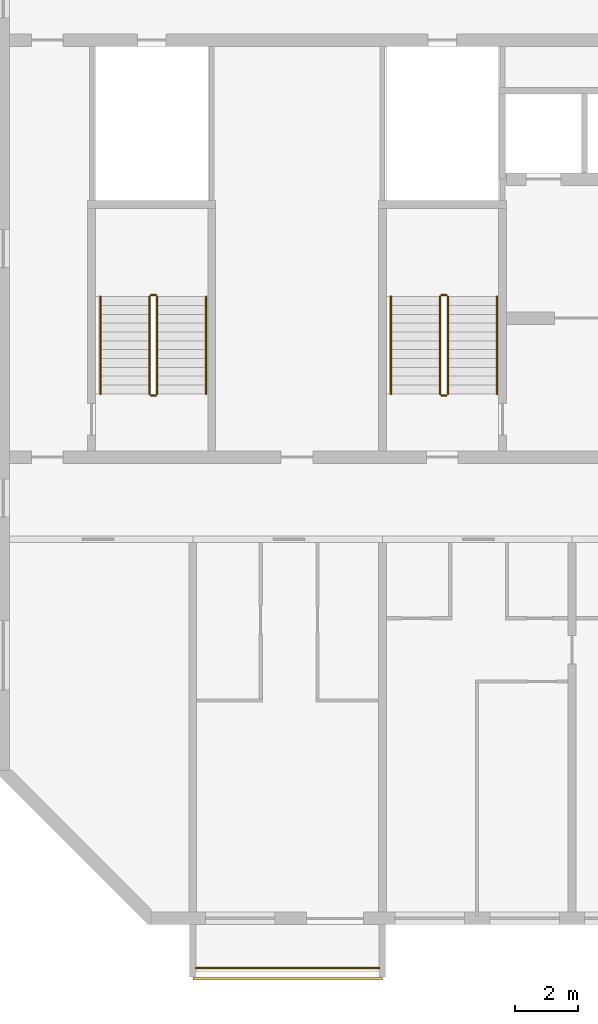
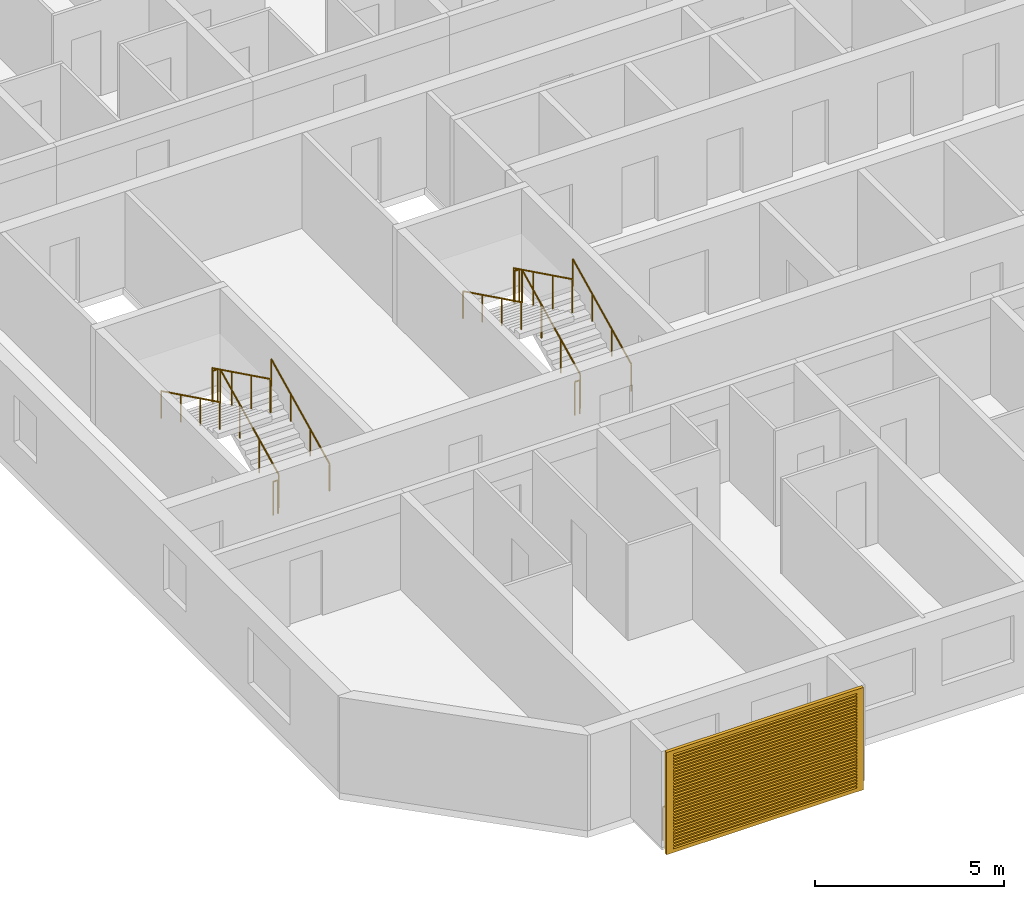
# One storey, part 13 of 28: 13 railings, 1 shading device.
"""IFC4 building model written with IfcOpenShell, lengths in metres."""

from ifc_helpers import new_model, si_unit, direction, frame, origin, origin_2d, place, context, subcontext, project, spatial, polyline, circle, outline, extrude, source, transform, mapped, material, material_profile, profile_set, type_object, element, save


model = new_model("IFC4")

# Units and contexts
model_context = context("Model", 3, precision=1e-05, world=origin(), true_north=direction((0.0, 1.0)))
body_context = subcontext(model_context, "Body", "Model", "MODEL_VIEW")
ifc_project = project(units=[si_unit("LENGTHUNIT", "METRE"), si_unit("AREAUNIT", "SQUARE_METRE"), si_unit("VOLUMEUNIT", "CUBIC_METRE"), si_unit("PLANEANGLEUNIT", "RADIAN"), si_unit("MASSUNIT", "GRAM", prefix="KILO")], contexts=[model_context])

# Site, building, storey
site_placement = place(None, origin())
site = spatial("IfcSite", under=ifc_project, at=site_placement, CompositionType="ELEMENT")
building_placement = place(site_placement, origin())
building = spatial("IfcBuilding", under=site, at=building_placement, Name="Poui Terraces", CompositionType="ELEMENT")
storey_placement = place(building_placement, frame((0.0, 0.0, 185.10009765625)))
storey = spatial("IfcBuildingStorey", under=building, at=storey_placement, Name="L51", CompositionType="ELEMENT", Elevation=185.10009765625)

# Railings
ifc_material_1 = material(Name="Painted steel fretwork", Category="steel")
railing_type_1 = type_object("IfcRailingType", Name="BALCONY GUARD 1100", PredefinedType="GUARDRAIL", material=ifc_material_1)
railing_1_placement = place(storey_placement, frame((24.10009765625, -1.570068359375, 0.0)))
element("IfcRailing", 1, at=railing_1_placement, inside=storey, type_object=railing_type_1, Name="BALCONY GUARD", PredefinedType="GUARDRAIL", context=body_context, shape_type="SweptSolid", body=[
    extrude(circle(Radius=0.02392578125, at=origin_2d()), frame((0.0, 0.0, 1.076171875), z_axis=(1.0, 0.0, 0.0), x_axis=(0.0, 1.0, 0.0)), (0.0, 0.0, 1.0), 5.7998046875),
    extrude(circle(Radius=0.02099609375, at=origin_2d()), origin(), (0.0, 0.0, 1.0), 1.052001953125),
    extrude(circle(Radius=0.02099609375, at=origin_2d()), frame((0.966552734375, 0.0, 0.0)), (0.0, 0.0, 1.0), 1.052001953125),
    extrude(circle(Radius=0.02099609375, at=origin_2d()), frame((1.933349609375, 0.0, 0.0)), (0.0, 0.0, 1.0), 1.052001953125),
    extrude(circle(Radius=0.02099609375, at=origin_2d()), frame((2.89990234375, 0.0, 0.0)), (0.0, 0.0, 1.0), 1.052001953125),
    extrude(circle(Radius=0.02099609375, at=origin_2d()), frame((3.866455078125, 0.0, 0.0)), (0.0, 0.0, 1.0), 1.052001953125),
    extrude(circle(Radius=0.02099609375, at=origin_2d()), frame((4.833251953125, 0.0, 0.0)), (0.0, 0.0, 1.0), 1.052001953125),
    extrude(circle(Radius=0.02099609375, at=origin_2d()), frame((5.7998046875, 0.0, 0.0)), (0.0, 0.0, 1.0), 1.052001953125),
])
ifc_material_2 = material(Name="Galvanised steel balustrade", Category="steel")
railing_type_2 = type_object("IfcRailingType", Name="STAIR GUARD 1100", PredefinedType="GUARDRAIL", material=ifc_material_2)
railing_2_placement = place(storey_placement, frame((32.074951171875, 16.60009765625, 0.137451171875)))
element("IfcRailing", 2, at=railing_2_placement, inside=storey, type_object=railing_type_2, Name="L51 ST-CW stair guard 1", PredefinedType="GUARDRAIL", context=body_context, shape_type="SweptSolid", body=[
    extrude(circle(Radius=0.02392578125, at=origin_2d()), frame((0.0, 0.0, 1.076171875), z_axis=(0.0, 0.897606190399, 0.440798283751), x_axis=(-1.0, 0.0, 0.0)), (0.0, 0.0, 1.0), 3.43115234375),
    extrude(circle(Radius=0.02099609375, at=origin_2d()), origin(), (0.0, 0.0, 1.0), 1.052001953125),
    extrude(circle(Radius=0.02099609375, at=origin_2d()), frame((0.0, 1.026611328125, 0.504150390625)), (0.0, 0.0, 1.0), 1.052001953125),
    extrude(circle(Radius=0.02099609375, at=origin_2d()), frame((0.0, 2.05322265625, 1.00830078125)), (0.0, 0.0, 1.0), 1.052001953125),
    extrude(circle(Radius=0.02099609375, at=origin_2d()), frame((0.0, 3.079833984375, 1.512451171875)), (0.0, 0.0, 1.0), 1.052001953125),
])
railing_3_placement = place(storey_placement, frame((32.02490234375, 19.72998046875, 1.64990234375)))
element("IfcRailing", 3, at=railing_3_placement, inside=storey, type_object=railing_type_2, Name="L51 ST-CW stair guard 2", PredefinedType="GUARDRAIL", context=body_context, shape_type="SweptSolid", body=[
    extrude(circle(Radius=0.02392578125, at=origin_2d()), frame((0.0, 0.0, 1.076171875), z_axis=(-1.0, 0.0, 0.0), x_axis=(0.0, -1.0, 0.0)), (0.0, 0.0, 1.0), 0.14990234375),
    extrude(circle(Radius=0.02099609375, at=origin_2d()), origin(), (0.0, 0.0, 1.0), 1.052001953125),
    extrude(circle(Radius=0.02099609375, at=origin_2d()), frame((-0.14990234375, 0.0, 0.0)), (0.0, 0.0, 1.0), 1.052001953125),
])
railing_4_placement = place(storey_placement, frame((31.824951171875, 19.679931640625, 1.787353515625)))
element("IfcRailing", 4, at=railing_4_placement, inside=storey, type_object=railing_type_2, Name="L51 ST-CW stair guard 3", PredefinedType="GUARDRAIL", context=body_context, shape_type="SweptSolid", body=[
    extrude(circle(Radius=0.02392578125, at=origin_2d()), frame((0.0, 0.0, 1.076171875), z_axis=(0.0, -0.897606190399, 0.440798283751), x_axis=(1.0, 0.0, 0.0)), (0.0, 0.0, 1.0), 3.43115234375),
    extrude(circle(Radius=0.02099609375, at=origin_2d()), origin(), (0.0, 0.0, 1.0), 1.052001953125),
    extrude(circle(Radius=0.02099609375, at=origin_2d()), frame((0.0, -1.026611328125, 0.504150390625)), (0.0, 0.0, 1.0), 1.052001953125),
    extrude(circle(Radius=0.02099609375, at=origin_2d()), frame((0.0, -2.05322265625, 1.00830078125)), (0.0, 0.0, 1.0), 1.052001953125),
    extrude(circle(Radius=0.02099609375, at=origin_2d()), frame((0.0, -3.079833984375, 1.512451171875)), (0.0, 0.0, 1.0), 1.052001953125),
])
railing_5_placement = place(storey_placement, frame((32.02490234375, 16.550048828125, 0.0)))
element("IfcRailing", 5, at=railing_5_placement, inside=storey, type_object=railing_type_2, Name="L51 ST-CW stair guard 4", PredefinedType="GUARDRAIL", context=body_context, shape_type="SweptSolid", body=[
    extrude(circle(Radius=0.02392578125, at=origin_2d()), frame((0.0, 0.0, 1.076171875), z_axis=(-1.0, 0.0, 0.0), x_axis=(0.0, -1.0, 0.0)), (0.0, 0.0, 1.0), 0.14990234375),
    extrude(circle(Radius=0.02099609375, at=origin_2d()), origin(), (0.0, 0.0, 1.0), 1.052001953125),
    extrude(circle(Radius=0.02099609375, at=origin_2d()), frame((-0.14990234375, 0.0, 0.0)), (0.0, 0.0, 1.0), 1.052001953125),
])
railing_6_placement = place(storey_placement, frame((22.875, 16.60009765625, 0.137451171875)))
element("IfcRailing", 6, at=railing_6_placement, inside=storey, type_object=railing_type_2, Name="L51 ST-W stair guard 1", PredefinedType="GUARDRAIL", context=body_context, shape_type="SweptSolid", body=[
    extrude(circle(Radius=0.02392578125, at=origin_2d()), frame((0.0, 0.0, 1.076171875), z_axis=(0.0, 0.897606190399, 0.440798283751), x_axis=(-1.0, 0.0, 0.0)), (0.0, 0.0, 1.0), 3.43115234375),
    extrude(circle(Radius=0.02099609375, at=origin_2d()), origin(), (0.0, 0.0, 1.0), 1.052001953125),
    extrude(circle(Radius=0.02099609375, at=origin_2d()), frame((0.0, 1.026611328125, 0.504150390625)), (0.0, 0.0, 1.0), 1.052001953125),
    extrude(circle(Radius=0.02099609375, at=origin_2d()), frame((0.0, 2.05322265625, 1.00830078125)), (0.0, 0.0, 1.0), 1.052001953125),
    extrude(circle(Radius=0.02099609375, at=origin_2d()), frame((0.0, 3.079833984375, 1.512451171875)), (0.0, 0.0, 1.0), 1.052001953125),
])
railing_7_placement = place(storey_placement, frame((22.824951171875, 19.72998046875, 1.64990234375)))
element("IfcRailing", 7, at=railing_7_placement, inside=storey, type_object=railing_type_2, Name="L51 ST-W stair guard 2", PredefinedType="GUARDRAIL", context=body_context, shape_type="SweptSolid", body=[
    extrude(circle(Radius=0.02392578125, at=origin_2d()), frame((0.0, 0.0, 1.076171875), z_axis=(-1.0, 0.0, 0.0), x_axis=(0.0, -1.0, 0.0)), (0.0, 0.0, 1.0), 0.14990234375),
    extrude(circle(Radius=0.02099609375, at=origin_2d()), origin(), (0.0, 0.0, 1.0), 1.052001953125),
    extrude(circle(Radius=0.02099609375, at=origin_2d()), frame((-0.14990234375, 0.0, 0.0)), (0.0, 0.0, 1.0), 1.052001953125),
])
railing_8_placement = place(storey_placement, frame((22.625, 19.679931640625, 1.787353515625)))
element("IfcRailing", 8, at=railing_8_placement, inside=storey, type_object=railing_type_2, Name="L51 ST-W stair guard 3", PredefinedType="GUARDRAIL", context=body_context, shape_type="SweptSolid", body=[
    extrude(circle(Radius=0.02392578125, at=origin_2d()), frame((0.0, 0.0, 1.076171875), z_axis=(0.0, -0.897606190399, 0.440798283751), x_axis=(1.0, 0.0, 0.0)), (0.0, 0.0, 1.0), 3.43115234375),
    extrude(circle(Radius=0.02099609375, at=origin_2d()), origin(), (0.0, 0.0, 1.0), 1.052001953125),
    extrude(circle(Radius=0.02099609375, at=origin_2d()), frame((0.0, -1.026611328125, 0.504150390625)), (0.0, 0.0, 1.0), 1.052001953125),
    extrude(circle(Radius=0.02099609375, at=origin_2d()), frame((0.0, -2.05322265625, 1.00830078125)), (0.0, 0.0, 1.0), 1.052001953125),
    extrude(circle(Radius=0.02099609375, at=origin_2d()), frame((0.0, -3.079833984375, 1.512451171875)), (0.0, 0.0, 1.0), 1.052001953125),
])
railing_9_placement = place(storey_placement, frame((22.824951171875, 16.550048828125, 0.0)))
element("IfcRailing", 9, at=railing_9_placement, inside=storey, type_object=railing_type_2, Name="L51 ST-W stair guard 4", PredefinedType="GUARDRAIL", context=body_context, shape_type="SweptSolid", body=[
    extrude(circle(Radius=0.02392578125, at=origin_2d()), frame((0.0, 0.0, 1.076171875), z_axis=(-1.0, 0.0, 0.0), x_axis=(0.0, -1.0, 0.0)), (0.0, 0.0, 1.0), 0.14990234375),
    extrude(circle(Radius=0.02099609375, at=origin_2d()), origin(), (0.0, 0.0, 1.0), 1.052001953125),
    extrude(circle(Radius=0.02099609375, at=origin_2d()), frame((-0.14990234375, 0.0, 0.0)), (0.0, 0.0, 1.0), 1.052001953125),
])
ifc_material_3 = material(Name="Stainless steel handrail", Category="steel")
railing_type_3 = type_object("IfcRailingType", Name="STAIR HANDRAIL 900", PredefinedType="HANDRAIL", material=ifc_material_3)
railing_10_placement = place(storey_placement, frame((33.625, 16.60009765625, 0.137451171875)))
element("IfcRailing", 10, at=railing_10_placement, inside=storey, type_object=railing_type_3, Name="L51 ST-CW stair handrail 1", PredefinedType="HANDRAIL", context=body_context, shape_type="SweptSolid", body=[
    extrude(circle(Radius=0.02392578125, at=origin_2d()), frame((0.0, 0.0, 0.8759765625), z_axis=(0.0, 0.897606190399, 0.440798283751), x_axis=(-1.0, 0.0, 0.0)), (0.0, 0.0, 1.0), 3.43115234375),
    extrude(circle(Radius=0.02099609375, at=origin_2d()), origin(), (0.0, 0.0, 1.0), 0.851806640625),
    extrude(circle(Radius=0.02099609375, at=origin_2d()), frame((0.0, 1.026611328125, 0.504150390625)), (0.0, 0.0, 1.0), 0.851806640625),
    extrude(circle(Radius=0.02099609375, at=origin_2d()), frame((0.0, 2.05322265625, 1.00830078125)), (0.0, 0.0, 1.0), 0.851806640625),
    extrude(circle(Radius=0.02099609375, at=origin_2d()), frame((0.0, 3.079833984375, 1.512451171875)), (0.0, 0.0, 1.0), 0.851806640625),
])
railing_11_placement = place(storey_placement, frame((30.27490234375, 19.679931640625, 1.787353515625)))
element("IfcRailing", 11, at=railing_11_placement, inside=storey, type_object=railing_type_3, Name="L51 ST-CW stair handrail 2", PredefinedType="HANDRAIL", context=body_context, shape_type="SweptSolid", body=[
    extrude(circle(Radius=0.02392578125, at=origin_2d()), frame((0.0, 0.0, 0.8759765625), z_axis=(0.0, -0.897606190399, 0.440798283751), x_axis=(1.0, 0.0, 0.0)), (0.0, 0.0, 1.0), 3.43115234375),
    extrude(circle(Radius=0.02099609375, at=origin_2d()), origin(), (0.0, 0.0, 1.0), 0.851806640625),
    extrude(circle(Radius=0.02099609375, at=origin_2d()), frame((0.0, -1.026611328125, 0.504150390625)), (0.0, 0.0, 1.0), 0.851806640625),
    extrude(circle(Radius=0.02099609375, at=origin_2d()), frame((0.0, -2.05322265625, 1.00830078125)), (0.0, 0.0, 1.0), 0.851806640625),
    extrude(circle(Radius=0.02099609375, at=origin_2d()), frame((0.0, -3.079833984375, 1.512451171875)), (0.0, 0.0, 1.0), 0.851806640625),
])
railing_12_placement = place(storey_placement, frame((24.425048828125, 16.60009765625, 0.137451171875)))
element("IfcRailing", 12, at=railing_12_placement, inside=storey, type_object=railing_type_3, Name="L51 ST-W stair handrail 1", PredefinedType="HANDRAIL", context=body_context, shape_type="SweptSolid", body=[
    extrude(circle(Radius=0.02392578125, at=origin_2d()), frame((0.0, 0.0, 0.8759765625), z_axis=(0.0, 0.897606190399, 0.440798283751), x_axis=(-1.0, 0.0, 0.0)), (0.0, 0.0, 1.0), 3.43115234375),
    extrude(circle(Radius=0.02099609375, at=origin_2d()), origin(), (0.0, 0.0, 1.0), 0.851806640625),
    extrude(circle(Radius=0.02099609375, at=origin_2d()), frame((0.0, 1.026611328125, 0.504150390625)), (0.0, 0.0, 1.0), 0.851806640625),
    extrude(circle(Radius=0.02099609375, at=origin_2d()), frame((0.0, 2.05322265625, 1.00830078125)), (0.0, 0.0, 1.0), 0.851806640625),
    extrude(circle(Radius=0.02099609375, at=origin_2d()), frame((0.0, 3.079833984375, 1.512451171875)), (0.0, 0.0, 1.0), 0.851806640625),
])
railing_13_placement = place(storey_placement, frame((21.074951171875, 19.679931640625, 1.787353515625)))
element("IfcRailing", 13, at=railing_13_placement, inside=storey, type_object=railing_type_3, Name="L51 ST-W stair handrail 2", PredefinedType="HANDRAIL", context=body_context, shape_type="SweptSolid", body=[
    extrude(circle(Radius=0.02392578125, at=origin_2d()), frame((0.0, 0.0, 0.8759765625), z_axis=(0.0, -0.897606190399, 0.440798283751), x_axis=(1.0, 0.0, 0.0)), (0.0, 0.0, 1.0), 3.43115234375),
    extrude(circle(Radius=0.02099609375, at=origin_2d()), origin(), (0.0, 0.0, 1.0), 0.851806640625),
    extrude(circle(Radius=0.02099609375, at=origin_2d()), frame((0.0, -1.026611328125, 0.504150390625)), (0.0, 0.0, 1.0), 0.851806640625),
    extrude(circle(Radius=0.02099609375, at=origin_2d()), frame((0.0, -2.05322265625, 1.00830078125)), (0.0, 0.0, 1.0), 0.851806640625),
    extrude(circle(Radius=0.02099609375, at=origin_2d()), frame((0.0, -3.079833984375, 1.512451171875)), (0.0, 0.0, 1.0), 0.851806640625),
])

# Shading device
ifc_material_4 = material(Name="Aluminium louvre", Category="aluminium")
ifc_material_profile = material_profile(ifc_material_4, outline(polyline([(-3.0, -1.64990234375), (3.0, -1.64990234375), (3.0, 1.64990234375), (-3.0, 1.64990234375), (-3.0, -1.64990234375)]), holes=[polyline([(-2.800048828125, -1.530029296875), (2.800048828125, -1.530029296875), (2.800048828125, -1.469970703125), (-2.800048828125, -1.469970703125), (-2.800048828125, -1.530029296875)]), polyline([(-2.800048828125, -1.429931640625), (2.800048828125, -1.429931640625), (2.800048828125, -1.3701171875), (-2.800048828125, -1.3701171875), (-2.800048828125, -1.429931640625)]), polyline([(-2.800048828125, -1.330078125), (2.800048828125, -1.330078125), (2.800048828125, -1.27001953125), (-2.800048828125, -1.27001953125), (-2.800048828125, -1.330078125)]), polyline([(-2.800048828125, -1.22998046875), (2.800048828125, -1.22998046875), (2.800048828125, -1.169921875), (-2.800048828125, -1.169921875), (-2.800048828125, -1.22998046875)]), polyline([(-2.800048828125, -1.1298828125), (2.800048828125, -1.1298828125), (2.800048828125, -1.070068359375), (-2.800048828125, -1.070068359375), (-2.800048828125, -1.1298828125)]), polyline([(-2.800048828125, -1.030029296875), (2.800048828125, -1.030029296875), (2.800048828125, -0.969970703125), (-2.800048828125, -0.969970703125), (-2.800048828125, -1.030029296875)]), polyline([(-2.800048828125, -0.929931640625), (2.800048828125, -0.929931640625), (2.800048828125, -0.8701171875), (-2.800048828125, -0.8701171875), (-2.800048828125, -0.929931640625)]), polyline([(-2.800048828125, -0.830078125), (2.800048828125, -0.830078125), (2.800048828125, -0.77001953125), (-2.800048828125, -0.77001953125), (-2.800048828125, -0.830078125)]), polyline([(-2.800048828125, -0.72998046875), (2.800048828125, -0.72998046875), (2.800048828125, -0.669921875), (-2.800048828125, -0.669921875), (-2.800048828125, -0.72998046875)]), polyline([(-2.800048828125, -0.6298828125), (2.800048828125, -0.6298828125), (2.800048828125, -0.570068359375), (-2.800048828125, -0.570068359375), (-2.800048828125, -0.6298828125)]), polyline([(-2.800048828125, -0.530029296875), (2.800048828125, -0.530029296875), (2.800048828125, -0.469970703125), (-2.800048828125, -0.469970703125), (-2.800048828125, -0.530029296875)]), polyline([(-2.800048828125, -0.429931640625), (2.800048828125, -0.429931640625), (2.800048828125, -0.3701171875), (-2.800048828125, -0.3701171875), (-2.800048828125, -0.429931640625)]), polyline([(-2.800048828125, -0.330078125), (2.800048828125, -0.330078125), (2.800048828125, -0.27001953125), (-2.800048828125, -0.27001953125), (-2.800048828125, -0.330078125)]), polyline([(-2.800048828125, -0.22998046875), (2.800048828125, -0.22998046875), (2.800048828125, -0.169921875), (-2.800048828125, -0.169921875), (-2.800048828125, -0.22998046875)]), polyline([(-2.800048828125, -0.1298828125), (2.800048828125, -0.1298828125), (2.800048828125, -0.070068359375), (-2.800048828125, -0.070068359375), (-2.800048828125, -0.1298828125)]), polyline([(-2.800048828125, -0.030029296875), (2.800048828125, -0.030029296875), (2.800048828125, 0.030029296875), (-2.800048828125, 0.030029296875), (-2.800048828125, -0.030029296875)]), polyline([(-2.800048828125, 0.070068359375), (2.800048828125, 0.070068359375), (2.800048828125, 0.1298828125), (-2.800048828125, 0.1298828125), (-2.800048828125, 0.070068359375)]), polyline([(-2.800048828125, 0.169921875), (2.800048828125, 0.169921875), (2.800048828125, 0.22998046875), (-2.800048828125, 0.22998046875), (-2.800048828125, 0.169921875)]), polyline([(-2.800048828125, 0.27001953125), (2.800048828125, 0.27001953125), (2.800048828125, 0.330078125), (-2.800048828125, 0.330078125), (-2.800048828125, 0.27001953125)]), polyline([(-2.800048828125, 0.3701171875), (2.800048828125, 0.3701171875), (2.800048828125, 0.429931640625), (-2.800048828125, 0.429931640625), (-2.800048828125, 0.3701171875)]), polyline([(-2.800048828125, 0.469970703125), (2.800048828125, 0.469970703125), (2.800048828125, 0.530029296875), (-2.800048828125, 0.530029296875), (-2.800048828125, 0.469970703125)]), polyline([(-2.800048828125, 0.570068359375), (2.800048828125, 0.570068359375), (2.800048828125, 0.6298828125), (-2.800048828125, 0.6298828125), (-2.800048828125, 0.570068359375)]), polyline([(-2.800048828125, 0.669921875), (2.800048828125, 0.669921875), (2.800048828125, 0.72998046875), (-2.800048828125, 0.72998046875), (-2.800048828125, 0.669921875)]), polyline([(-2.800048828125, 0.77001953125), (2.800048828125, 0.77001953125), (2.800048828125, 0.830078125), (-2.800048828125, 0.830078125), (-2.800048828125, 0.77001953125)]), polyline([(-2.800048828125, 0.8701171875), (2.800048828125, 0.8701171875), (2.800048828125, 0.929931640625), (-2.800048828125, 0.929931640625), (-2.800048828125, 0.8701171875)]), polyline([(-2.800048828125, 0.969970703125), (2.800048828125, 0.969970703125), (2.800048828125, 1.030029296875), (-2.800048828125, 1.030029296875), (-2.800048828125, 0.969970703125)]), polyline([(-2.800048828125, 1.070068359375), (2.800048828125, 1.070068359375), (2.800048828125, 1.1298828125), (-2.800048828125, 1.1298828125), (-2.800048828125, 1.070068359375)]), polyline([(-2.800048828125, 1.169921875), (2.800048828125, 1.169921875), (2.800048828125, 1.22998046875), (-2.800048828125, 1.22998046875), (-2.800048828125, 1.169921875)]), polyline([(-2.800048828125, 1.27001953125), (2.800048828125, 1.27001953125), (2.800048828125, 1.330078125), (-2.800048828125, 1.330078125), (-2.800048828125, 1.27001953125)]), polyline([(-2.800048828125, 1.3701171875), (2.800048828125, 1.3701171875), (2.800048828125, 1.429931640625), (-2.800048828125, 1.429931640625), (-2.800048828125, 1.3701171875)]), polyline([(-2.800048828125, 1.469970703125), (2.800048828125, 1.469970703125), (2.800048828125, 1.530029296875), (-2.800048828125, 1.530029296875), (-2.800048828125, 1.469970703125)])]), Name="JALOUSIE LOUVRE SHUTTER 6000X3300")
ifc_profile_set = profile_set([ifc_material_profile], Name="Aluminium louvre")
shading_device_type = type_object("IfcShadingDeviceType", Name="JALOUSIE LOUVRE SHUTTER 6000X3300", PredefinedType="JALOUSIE", material=ifc_profile_set)
shared_shape = source(origin(), body_context, "Body", "SweptSolid", [
    extrude(outline(polyline([(-3.0, -1.64990234375), (3.0, -1.64990234375), (3.0, 1.64990234375), (-3.0, 1.64990234375), (-3.0, -1.64990234375)]), holes=[polyline([(-2.800048828125, -1.530029296875), (2.800048828125, -1.530029296875), (2.800048828125, -1.469970703125), (-2.800048828125, -1.469970703125), (-2.800048828125, -1.530029296875)]), polyline([(-2.800048828125, -1.429931640625), (2.800048828125, -1.429931640625), (2.800048828125, -1.3701171875), (-2.800048828125, -1.3701171875), (-2.800048828125, -1.429931640625)]), polyline([(-2.800048828125, -1.330078125), (2.800048828125, -1.330078125), (2.800048828125, -1.27001953125), (-2.800048828125, -1.27001953125), (-2.800048828125, -1.330078125)]), polyline([(-2.800048828125, -1.22998046875), (2.800048828125, -1.22998046875), (2.800048828125, -1.169921875), (-2.800048828125, -1.169921875), (-2.800048828125, -1.22998046875)]), polyline([(-2.800048828125, -1.1298828125), (2.800048828125, -1.1298828125), (2.800048828125, -1.070068359375), (-2.800048828125, -1.070068359375), (-2.800048828125, -1.1298828125)]), polyline([(-2.800048828125, -1.030029296875), (2.800048828125, -1.030029296875), (2.800048828125, -0.969970703125), (-2.800048828125, -0.969970703125), (-2.800048828125, -1.030029296875)]), polyline([(-2.800048828125, -0.929931640625), (2.800048828125, -0.929931640625), (2.800048828125, -0.8701171875), (-2.800048828125, -0.8701171875), (-2.800048828125, -0.929931640625)]), polyline([(-2.800048828125, -0.830078125), (2.800048828125, -0.830078125), (2.800048828125, -0.77001953125), (-2.800048828125, -0.77001953125), (-2.800048828125, -0.830078125)]), polyline([(-2.800048828125, -0.72998046875), (2.800048828125, -0.72998046875), (2.800048828125, -0.669921875), (-2.800048828125, -0.669921875), (-2.800048828125, -0.72998046875)]), polyline([(-2.800048828125, -0.6298828125), (2.800048828125, -0.6298828125), (2.800048828125, -0.570068359375), (-2.800048828125, -0.570068359375), (-2.800048828125, -0.6298828125)]), polyline([(-2.800048828125, -0.530029296875), (2.800048828125, -0.530029296875), (2.800048828125, -0.469970703125), (-2.800048828125, -0.469970703125), (-2.800048828125, -0.530029296875)]), polyline([(-2.800048828125, -0.429931640625), (2.800048828125, -0.429931640625), (2.800048828125, -0.3701171875), (-2.800048828125, -0.3701171875), (-2.800048828125, -0.429931640625)]), polyline([(-2.800048828125, -0.330078125), (2.800048828125, -0.330078125), (2.800048828125, -0.27001953125), (-2.800048828125, -0.27001953125), (-2.800048828125, -0.330078125)]), polyline([(-2.800048828125, -0.22998046875), (2.800048828125, -0.22998046875), (2.800048828125, -0.169921875), (-2.800048828125, -0.169921875), (-2.800048828125, -0.22998046875)]), polyline([(-2.800048828125, -0.1298828125), (2.800048828125, -0.1298828125), (2.800048828125, -0.070068359375), (-2.800048828125, -0.070068359375), (-2.800048828125, -0.1298828125)]), polyline([(-2.800048828125, -0.030029296875), (2.800048828125, -0.030029296875), (2.800048828125, 0.030029296875), (-2.800048828125, 0.030029296875), (-2.800048828125, -0.030029296875)]), polyline([(-2.800048828125, 0.070068359375), (2.800048828125, 0.070068359375), (2.800048828125, 0.1298828125), (-2.800048828125, 0.1298828125), (-2.800048828125, 0.070068359375)]), polyline([(-2.800048828125, 0.169921875), (2.800048828125, 0.169921875), (2.800048828125, 0.22998046875), (-2.800048828125, 0.22998046875), (-2.800048828125, 0.169921875)]), polyline([(-2.800048828125, 0.27001953125), (2.800048828125, 0.27001953125), (2.800048828125, 0.330078125), (-2.800048828125, 0.330078125), (-2.800048828125, 0.27001953125)]), polyline([(-2.800048828125, 0.3701171875), (2.800048828125, 0.3701171875), (2.800048828125, 0.429931640625), (-2.800048828125, 0.429931640625), (-2.800048828125, 0.3701171875)]), polyline([(-2.800048828125, 0.469970703125), (2.800048828125, 0.469970703125), (2.800048828125, 0.530029296875), (-2.800048828125, 0.530029296875), (-2.800048828125, 0.469970703125)]), polyline([(-2.800048828125, 0.570068359375), (2.800048828125, 0.570068359375), (2.800048828125, 0.6298828125), (-2.800048828125, 0.6298828125), (-2.800048828125, 0.570068359375)]), polyline([(-2.800048828125, 0.669921875), (2.800048828125, 0.669921875), (2.800048828125, 0.72998046875), (-2.800048828125, 0.72998046875), (-2.800048828125, 0.669921875)]), polyline([(-2.800048828125, 0.77001953125), (2.800048828125, 0.77001953125), (2.800048828125, 0.830078125), (-2.800048828125, 0.830078125), (-2.800048828125, 0.77001953125)]), polyline([(-2.800048828125, 0.8701171875), (2.800048828125, 0.8701171875), (2.800048828125, 0.929931640625), (-2.800048828125, 0.929931640625), (-2.800048828125, 0.8701171875)]), polyline([(-2.800048828125, 0.969970703125), (2.800048828125, 0.969970703125), (2.800048828125, 1.030029296875), (-2.800048828125, 1.030029296875), (-2.800048828125, 0.969970703125)]), polyline([(-2.800048828125, 1.070068359375), (2.800048828125, 1.070068359375), (2.800048828125, 1.1298828125), (-2.800048828125, 1.1298828125), (-2.800048828125, 1.070068359375)]), polyline([(-2.800048828125, 1.169921875), (2.800048828125, 1.169921875), (2.800048828125, 1.22998046875), (-2.800048828125, 1.22998046875), (-2.800048828125, 1.169921875)]), polyline([(-2.800048828125, 1.27001953125), (2.800048828125, 1.27001953125), (2.800048828125, 1.330078125), (-2.800048828125, 1.330078125), (-2.800048828125, 1.27001953125)]), polyline([(-2.800048828125, 1.3701171875), (2.800048828125, 1.3701171875), (2.800048828125, 1.429931640625), (-2.800048828125, 1.429931640625), (-2.800048828125, 1.3701171875)]), polyline([(-2.800048828125, 1.469970703125), (2.800048828125, 1.469970703125), (2.800048828125, 1.530029296875), (-2.800048828125, 1.530029296875), (-2.800048828125, 1.469970703125)])]), origin(), (0.0, 0.0, 1.0), 0.099853515625),
])
shading_device_placement = place(storey_placement, frame((27.0, -1.85009765625, 1.449951171875), z_axis=(0.0, -1.0, 0.0), x_axis=(1.0, 0.0, 0.0)))
element("IfcShadingDevice", 14, at=shading_device_placement, inside=storey, type_object=shading_device_type, Name="JALOUSIE LOUVRE SHUTTER", PredefinedType="JALOUSIE", context=body_context, shape_type="MappedRepresentation", body=[
    mapped(shared_shape, transform((0.0, 0.0, 0.0))),
])

save(model, "model.ifc")
